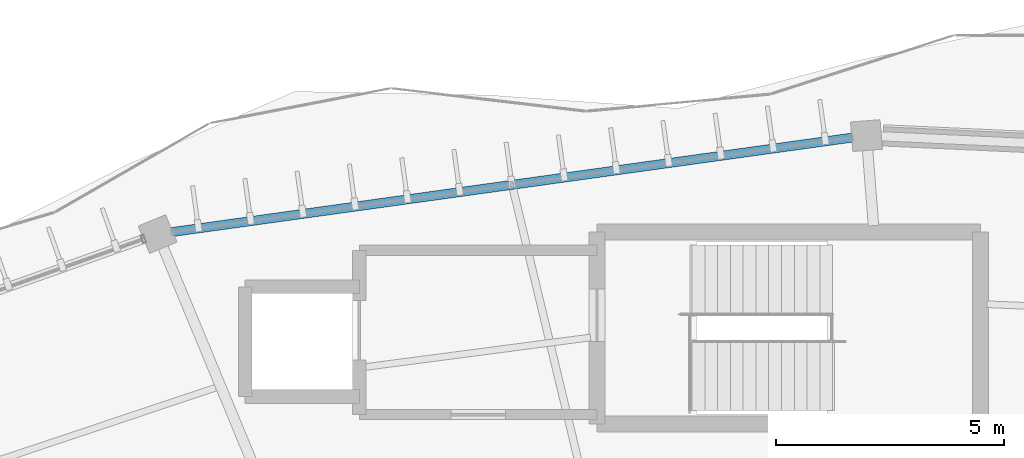
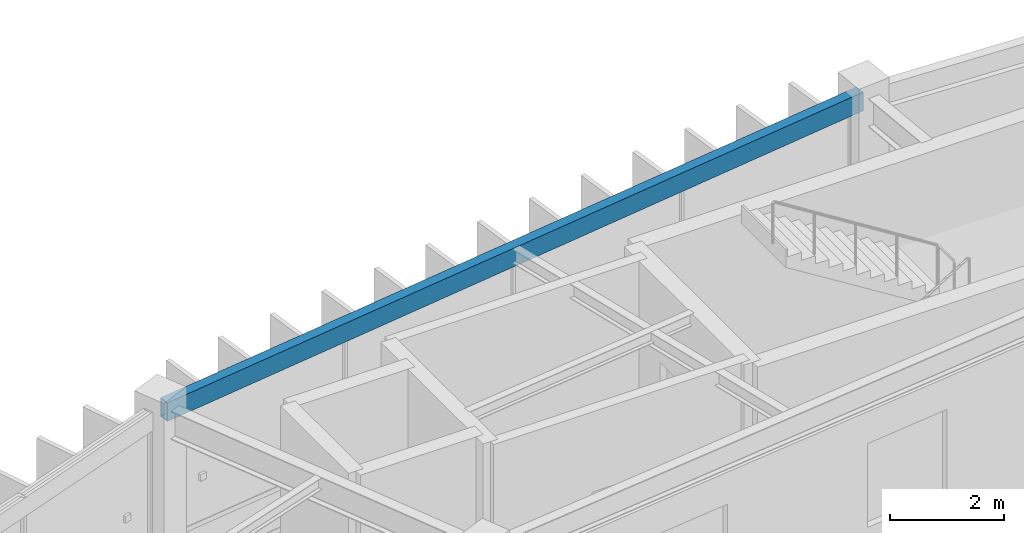
# One storey, part 61 of 114: 1 beam.
"""IFC4 building model written with IfcOpenShell, lengths in metres."""

from ifc_helpers import new_model, si_unit, direction, frame, origin, origin_2d, place, context, subcontext, project, spatial, hollow_rectangle, extrude, material, material_profile, profile_set, type_object, element, save


model = new_model("IFC4")

# Units and contexts
model_context = context("Model", 3, precision=1e-05, world=origin(), true_north=direction((0.0, 1.0)))
body_context = subcontext(model_context, "Body", "Model", "MODEL_VIEW")
ifc_project = project(units=[si_unit("LENGTHUNIT", "METRE"), si_unit("AREAUNIT", "SQUARE_METRE"), si_unit("VOLUMEUNIT", "CUBIC_METRE"), si_unit("PLANEANGLEUNIT", "RADIAN"), si_unit("MASSUNIT", "GRAM", prefix="KILO"), si_unit("THERMODYNAMICTEMPERATUREUNIT", "KELVIN"), si_unit("POWERUNIT", "WATT")], contexts=[model_context])

# Site, building, storey
site_placement = place(None, origin())
site = spatial("IfcSite", under=ifc_project, at=site_placement, CompositionType="ELEMENT")
building_placement = place(site_placement, origin())
building = spatial("IfcBuilding", under=site, at=building_placement, Name="Darbajah Civic Hall", CompositionType="ELEMENT")
storey_placement = place(building_placement, frame((0.0, 0.0, 13.800048828125)))
storey = spatial("IfcBuildingStorey", under=building, at=storey_placement, Name="L03", CompositionType="ELEMENT", Elevation=13.800048828125)

# Beam
ifc_material = material(Name="Steel S355JR", Category="steel")
ifc_material_profile = material_profile(ifc_material, hollow_rectangle(XDim=0.199951171875, YDim=0.39990234375, WallThickness=0.013916015625, at=origin_2d()), Name="RHS 400x200x14")
ifc_profile_set = profile_set([ifc_material_profile], Name="Steel S355JR")
beam_type = type_object("IfcBeamType", Name="RHS 400x200x14", PredefinedType="SPANDREL", material=ifc_profile_set)
beam_placement = place(storey_placement, frame((85.019287109375, 119.197998046875, 3.719970703125), z_axis=(-0.990495253006, -0.137546914804, 0.0), x_axis=(0.137546914804, -0.990495253006, 0.0)))
element("IfcBeam", 1, at=beam_placement, inside=storey, type_object=beam_type, Name="L03 beam SP-RHS400", PredefinedType="SPANDREL", context=body_context, shape_type="SweptSolid", body=[
    extrude(hollow_rectangle(XDim=0.199951171875, YDim=0.39990234375, WallThickness=0.013916015625, at=origin_2d()), origin(), (0.0, 0.0, 1.0), 15.50439453125),
])

save(model, "model.ifc")
